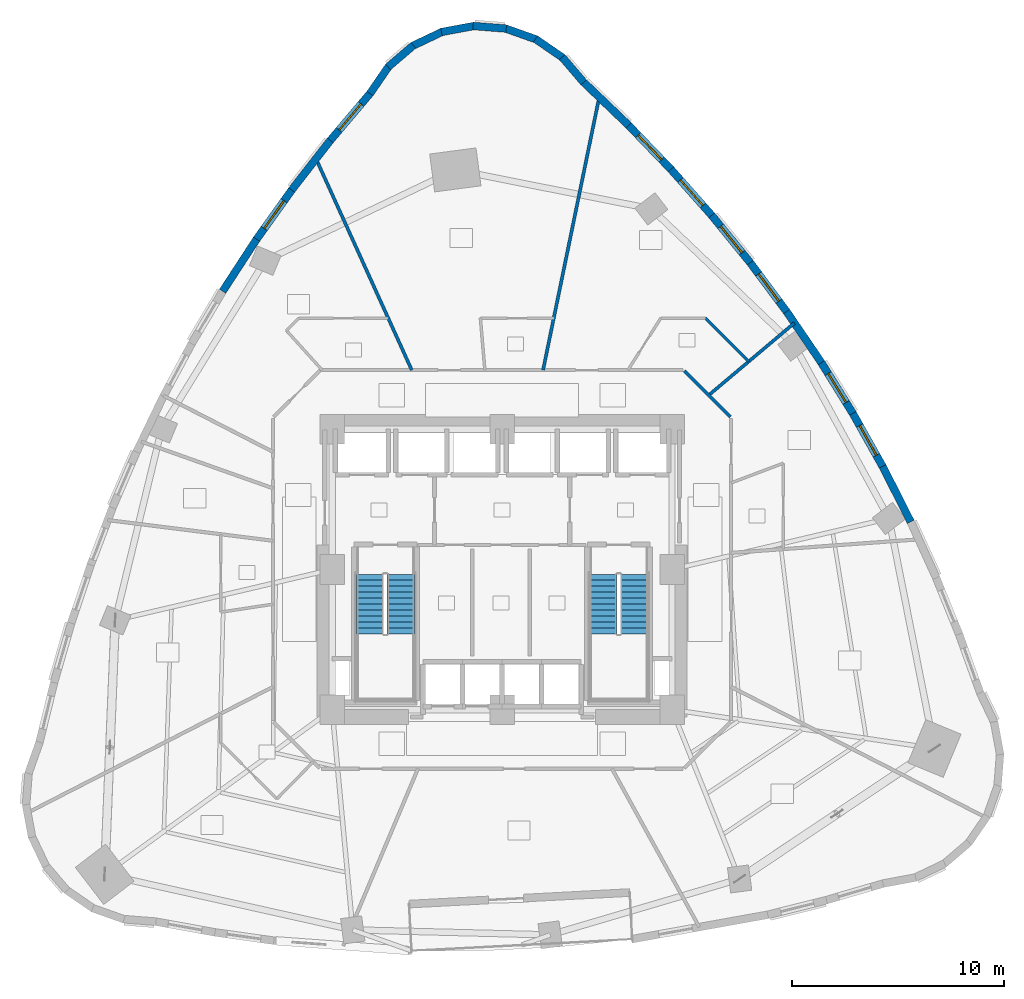
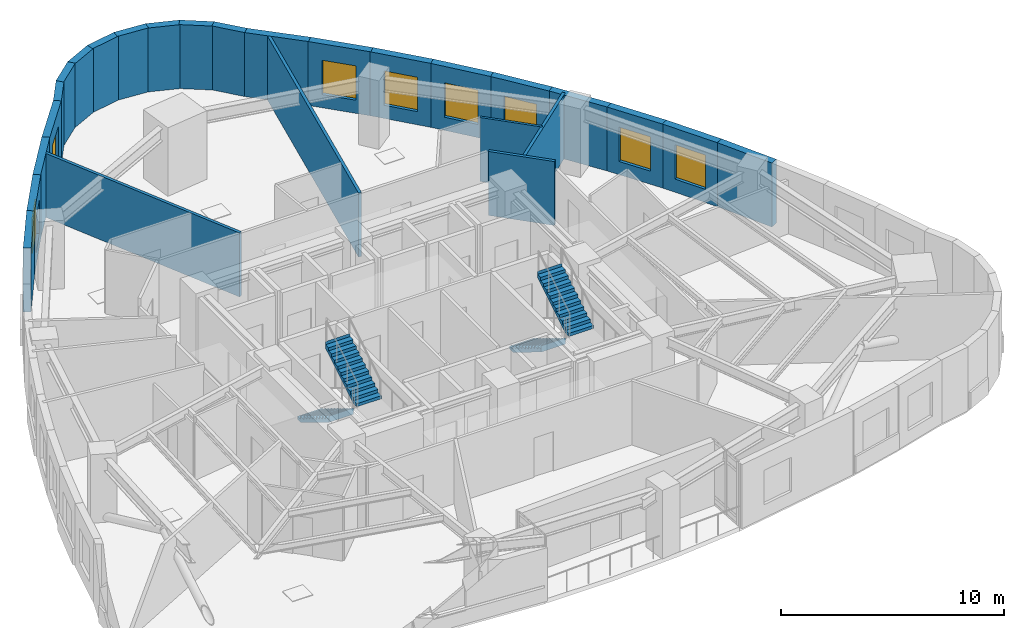
# One storey, part 8 of 11: 26 walls, 8 windows, 4 stair flights, 8 openings, 2 elements without a shape of their own.
"""IFC4 building model written with IfcOpenShell, lengths in metres."""

from ifc_helpers import new_model, si_unit, direction, frame, frame_2d, origin, place, context, subcontext, project, spatial, polyline, rectangle, outline, extrude, material, layer, layer_set, type_object, element, fill, aggregate, save


model = new_model("IFC4")

# Units and contexts
model_context = context("Model", 3, precision=1e-05, world=origin(), true_north=direction((0.0, 1.0)))
body_context = subcontext(model_context, "Body", "Model", "MODEL_VIEW")
ifc_project = project(units=[si_unit("LENGTHUNIT", "METRE"), si_unit("AREAUNIT", "SQUARE_METRE"), si_unit("VOLUMEUNIT", "CUBIC_METRE"), si_unit("PLANEANGLEUNIT", "RADIAN"), si_unit("MASSUNIT", "GRAM", prefix="KILO")], contexts=[model_context])

# Site, building, storey
site_placement = place(None, origin())
site = spatial("IfcSite", under=ifc_project, at=site_placement, CompositionType="ELEMENT")
building_placement = place(site_placement, origin())
building = spatial("IfcBuilding", under=site, at=building_placement, Name="Ndelora Gate Hotel", CompositionType="ELEMENT")
storey_placement = place(building_placement, frame((0.0, 0.0, 41.75)))
storey = spatial("IfcBuildingStorey", under=building, at=storey_placement, Name="L09", CompositionType="ELEMENT", Elevation=41.75)

# Walls
ifc_material_1 = material(Name="Clay Brick Masonry", Category="masonry")
ifc_layer_1 = layer(ifc_material_1, 0.360107421875)
ifc_layer_set_1 = layer_set([ifc_layer_1], Name="Clay Brick Masonry")
wall_type_1 = type_object("IfcWallType", Name="WL-BRICK-360", PredefinedType="SOLIDWALL", material=ifc_layer_set_1)
wall_1_placement = place(storey_placement, frame((2.828125, 24.10986328125, 0.0), z_axis=(0.0, 0.0, 1.0), x_axis=(0.649427555808, -0.76042346739, 0.0)))
element("IfcWall", 1, at=wall_1_placement, inside=storey, type_object=wall_type_1, Name="L09 Tower Brick Pier-and-Spandrel Wall TWR-1", PredefinedType="SOLIDWALL", context=body_context, shape_type="SweptSolid", body=[
    extrude(rectangle(XDim=1.56396484375, YDim=0.360107421875, at=frame_2d((0.781982421875, 0.0))), origin(), (0.0, 0.0, 1.0), 3.5),
])
wall_2_placement = place(storey_placement, frame((1.575927734375, 24.962646484375, 0.0), z_axis=(0.0, 0.0, 1.0), x_axis=(0.824114783412, -0.56642283125, 0.0)))
element("IfcWall", 2, at=wall_2_placement, inside=storey, type_object=wall_type_1, Name="L09 Tower Brick Pier-and-Spandrel Wall TWR-2", PredefinedType="SOLIDWALL", context=body_context, shape_type="SweptSolid", body=[
    extrude(rectangle(XDim=1.564208984375, YDim=0.360107421875, at=frame_2d((0.7822265625, 0.0))), origin(), (0.0, 0.0, 1.0), 3.5),
])
wall_3_placement = place(storey_placement, frame((0.1455078125, 25.46240234375, 0.0), z_axis=(0.0, 0.0, 1.0), x_axis=(0.94263541034, -0.333824030251, 0.0)))
element("IfcWall", 3, at=wall_3_placement, inside=storey, type_object=wall_type_1, Name="L09 Tower Brick Pier-and-Spandrel Wall TWR-3", PredefinedType="SOLIDWALL", context=body_context, shape_type="SweptSolid", body=[
    extrude(rectangle(XDim=1.564453125, YDim=0.360107421875, at=frame_2d((0.7822265625, 0.0))), origin(), (0.0, 0.0, 1.0), 3.5),
])
for number, where, z_axis, x_axis, name in (
    (4, (-1.364990234375, 25.57470703125, 0.0), (0.0, 0.0, 1.0), (0.996912314432, -0.078522845938, 0.0), "L09 Tower Brick Pier-and-Spandrel Wall TWR-4"),
    (5, (-2.853515625, 25.292236328125, 0.0), (0.0, 0.0, 1.0), (0.983239538779, 0.182318428527, 0.0), "L09 Tower Brick Pier-and-Spandrel Wall TWR-5"),
):
    element("IfcWall", number, at=place(storey_placement, frame(where, z_axis=z_axis, x_axis=x_axis)), inside=storey, type_object=wall_type_1, Name=name, PredefinedType="SOLIDWALL", context=body_context, shape_type="SweptSolid", body=[
        extrude(rectangle(XDim=1.56396484375, YDim=0.360107421875, at=frame_2d((0.781982421875, 0.0))), origin(), (0.0, 0.0, 1.0), 3.5),
    ])
wall_4_placement = place(storey_placement, frame((-4.21826171875, 24.63427734375, 0.0), z_axis=(0.0, 0.0, 1.0), x_axis=(0.902606480138, 0.430466656099, 0.0)))
element("IfcWall", 6, at=wall_4_placement, inside=storey, type_object=wall_type_1, Name="L09 Tower Brick Pier-and-Spandrel Wall TWR-6", PredefinedType="SOLIDWALL", context=body_context, shape_type="SweptSolid", body=[
    extrude(rectangle(XDim=1.564208984375, YDim=0.360107421875, at=frame_2d((0.7822265625, 0.0))), origin(), (0.0, 0.0, 1.0), 3.5),
])
wall_5_placement = place(storey_placement, frame((-5.365966796875, 23.6455078125, 0.0), z_axis=(0.0, 0.0, 1.0), x_axis=(0.760489297029, 0.649350467086, 0.0)))
element("IfcWall", 7, at=wall_5_placement, inside=storey, type_object=wall_type_1, Name="L09 Tower Brick Pier-and-Spandrel Wall TWR-7", PredefinedType="SOLIDWALL", context=body_context, shape_type="SweptSolid", body=[
    extrude(rectangle(XDim=1.56396484375, YDim=0.360107421875, at=frame_2d((0.781982421875, 0.0))), origin(), (0.0, 0.0, 1.0), 3.5),
])
wall_6_placement = place(storey_placement, frame((-6.21875, 22.393310546875, 0.0), z_axis=(0.0, 0.0, 1.0), x_axis=(0.56642283125, 0.824114783412, 0.0)))
element("IfcWall", 8, at=wall_6_placement, inside=storey, type_object=wall_type_1, Name="L09 Tower Brick Pier-and-Spandrel Wall TWR-8", PredefinedType="SOLIDWALL", context=body_context, shape_type="SweptSolid", body=[
    extrude(rectangle(XDim=1.564208984375, YDim=0.360107421875, at=frame_2d((0.7822265625, 0.0))), origin(), (0.0, 0.0, 1.0), 3.5),
])

# Wall, opening, window
wall_7_placement = place(storey_placement, frame((-8.117431640625, 20.152587890625, 0.0), z_axis=(0.0, 0.0, 1.0), x_axis=(0.645802996195, 0.763504086502, 0.0)))
wall_7 = element("IfcWall", 9, at=wall_7_placement, inside=storey, type_object=wall_type_1, Name="L09 Tower Brick Pier-and-Spandrel Wall TWR-9", PredefinedType="SOLIDWALL", context=body_context, shape_type="SweptSolid", body=[
    extrude(rectangle(XDim=2.98681640625, YDim=0.360107421875, at=frame_2d((1.493408203125, 0.0))), origin(), (0.0, 0.0, 1.0), 3.5),
])
opening_1_placement = place(wall_7_placement, frame((0.693603515625, 0.0, 0.719970703125)))
opening_1 = element("IfcOpeningElement", 10, at=opening_1_placement, cuts=wall_7, Name="Opening W03", PredefinedType="OPENING", context=body_context, shape_type="SweptSolid", body=[
    extrude(rectangle(XDim=1.60009765625, YDim=1.8798828125, at=frame_2d((0.800048828125, 0.93994140625))), frame((0.0, 0.18994140625, 0.0), z_axis=(0.0, -1.0, 0.0), x_axis=(1.0, 0.0, 0.0)), (0.0, 0.0, 1.0), 0.380126953125),
])
ifc_material_2 = material(Name="Insulated Low-E Double Glazing in Bronze Aluminium Frame", Category="aluminium")
window_type_1 = type_object("IfcWindowType", Name="WN-CORN-2100", PartitioningType="SINGLE_PANEL", PredefinedType="WINDOW", material=ifc_material_2)
window_1_placement = place(opening_1_placement, origin())
window_1 = element("IfcWindow", 11, at=window_1_placement, inside=storey, type_object=window_type_1, Name="L09 Deep-Set Brick-Pier Window W03", OverallHeight=1.8798828125, OverallWidth=1.60009765625, PartitioningType="SINGLE_PANEL", PredefinedType="WINDOW", context=body_context, shape_type="SweptSolid", body=[
    extrude(rectangle(XDim=1.60009765625, YDim=1.8798828125, at=frame_2d((0.800048828125, 0.93994140625))), frame((0.0, 0.030029296875, 0.0), z_axis=(0.0, -1.0, 0.0), x_axis=(1.0, 0.0, 0.0)), (0.0, 0.0, 1.0), 0.06005859375),
])
fill(opening_1, window_1)

# Wall
wall_8_placement = place(storey_placement, frame((-9.90478515625, 17.854248046875, 0.0), z_axis=(0.0, 0.0, 1.0), x_axis=(0.614163171733, 0.789179066174, 0.0)))
element("IfcWall", 12, at=wall_8_placement, inside=storey, type_object=wall_type_1, Name="L09 Tower Brick Pier-and-Spandrel Wall TWR-10", PredefinedType="SOLIDWALL", context=body_context, shape_type="SweptSolid", body=[
    extrude(rectangle(XDim=2.96142578125, YDim=0.360107421875, at=frame_2d((1.480712890625, 0.0))), origin(), (0.0, 0.0, 1.0), 3.5),
])

# Wall, opening, window
wall_9_placement = place(storey_placement, frame((-11.5830078125, 15.500244140625, 0.0), z_axis=(0.0, 0.0, 1.0), x_axis=(0.580782634392, 0.814058678222, 0.0)))
wall_9 = element("IfcWall", 13, at=wall_9_placement, inside=storey, type_object=wall_type_1, Name="L09 Tower Brick Pier-and-Spandrel Wall TWR-11", PredefinedType="SOLIDWALL", context=body_context, shape_type="SweptSolid", body=[
    extrude(rectangle(XDim=2.94091796875, YDim=0.360107421875, at=frame_2d((1.470458984375, 0.0))), origin(), (0.0, 0.0, 1.0), 3.5),
])
opening_2_placement = place(wall_9_placement, frame((0.67041015625, 0.0, 0.719970703125)))
opening_2 = element("IfcOpeningElement", 14, at=opening_2_placement, cuts=wall_9, Name="Opening W01", PredefinedType="OPENING", context=body_context, shape_type="SweptSolid", body=[
    extrude(rectangle(XDim=1.60009765625, YDim=1.8798828125, at=frame_2d((0.800048828125, 0.93994140625))), frame((0.0, 0.18994140625, 0.0), z_axis=(0.0, -1.0, 0.0), x_axis=(1.0, 0.0, 0.0)), (0.0, 0.0, 1.0), 0.380126953125),
])
window_type_2 = type_object("IfcWindowType", Name="WN-DEEP-1600", PartitioningType="SINGLE_PANEL", PredefinedType="WINDOW", material=ifc_material_2)
window_2_placement = place(opening_2_placement, origin())
window_2 = element("IfcWindow", 15, at=window_2_placement, inside=storey, type_object=window_type_2, Name="L09 Deep-Set Brick-Pier Window W01", OverallHeight=1.8798828125, OverallWidth=1.60009765625, PartitioningType="SINGLE_PANEL", PredefinedType="WINDOW", context=body_context, shape_type="SweptSolid", body=[
    extrude(rectangle(XDim=1.60009765625, YDim=1.8798828125, at=frame_2d((0.800048828125, 0.93994140625))), frame((0.0, 0.030029296875, 0.0), z_axis=(0.0, -1.0, 0.0), x_axis=(1.0, 0.0, 0.0)), (0.0, 0.0, 1.0), 0.06005859375),
])
fill(opening_2, window_2)

# Walls
wall_10_placement = place(storey_placement, frame((-13.152587890625, 13.091064453125, 0.0), z_axis=(0.0, 0.0, 1.0), x_axis=(0.546158304601, 0.837681983998, 0.0)))
element("IfcWall", 16, at=wall_10_placement, inside=storey, type_object=wall_type_1, Name="L09 Tower Brick Pier-and-Spandrel Wall TWR-12", PredefinedType="SOLIDWALL", context=body_context, shape_type="SweptSolid", body=[
    extrude(rectangle(XDim=2.92529296875, YDim=0.360107421875, at=frame_2d((1.462646484375, 0.0))), origin(), (0.0, 0.0, 1.0), 3.5),
])
wall_11_placement = place(storey_placement, frame((17.91357421875, 4.8447265625, 0.0), z_axis=(0.0, 0.0, 1.0), x_axis=(0.452380947907, -0.891824802285, 0.0)))
element("IfcWall", 17, at=wall_11_placement, inside=storey, type_object=wall_type_1, Name="L09 Tower Brick Pier-and-Spandrel Wall TWR-50", PredefinedType="SOLIDWALL", context=body_context, shape_type="SweptSolid", body=[
    extrude(rectangle(XDim=2.925048828125, YDim=0.360107421875, at=frame_2d((1.46240234375, 0.0))), origin(), (0.0, 0.0, 1.0), 3.5),
])

# Wall, opening, window
wall_12_placement = place(storey_placement, frame((16.50927734375, 7.341796875, 0.0), z_axis=(0.0, 0.0, 1.0), x_axis=(0.489847587765, -0.871808087116, 0.0)))
wall_12 = element("IfcWall", 18, at=wall_12_placement, inside=storey, type_object=wall_type_1, Name="L09 Tower Brick Pier-and-Spandrel Wall TWR-51", PredefinedType="SOLIDWALL", context=body_context, shape_type="SweptSolid", body=[
    extrude(rectangle(XDim=2.91455078125, YDim=0.360107421875, at=frame_2d((1.457275390625, 0.0))), origin(), (0.0, 0.0, 1.0), 3.5),
])
opening_3_placement = place(wall_12_placement, frame((0.657470703125, 0.0, 0.719970703125)))
opening_3 = element("IfcOpeningElement", 19, at=opening_3_placement, cuts=wall_12, Name="Opening W01", PredefinedType="OPENING", context=body_context, shape_type="SweptSolid", body=[
    extrude(rectangle(XDim=1.60009765625, YDim=1.8798828125, at=frame_2d((0.800048828125, 0.93994140625))), frame((0.0, 0.18994140625, 0.0), z_axis=(0.0, -1.0, 0.0), x_axis=(1.0, 0.0, 0.0)), (0.0, 0.0, 1.0), 0.380126953125),
])
window_3_placement = place(opening_3_placement, origin())
window_3 = element("IfcWindow", 20, at=window_3_placement, inside=storey, type_object=window_type_2, Name="L09 Deep-Set Brick-Pier Window W01", OverallHeight=1.8798828125, OverallWidth=1.60009765625, PartitioningType="SINGLE_PANEL", PredefinedType="WINDOW", context=body_context, shape_type="SweptSolid", body=[
    extrude(rectangle(XDim=1.60009765625, YDim=1.8798828125, at=frame_2d((0.800048828125, 0.93994140625))), frame((0.0, 0.030029296875, 0.0), z_axis=(0.0, -1.0, 0.0), x_axis=(1.0, 0.0, 0.0)), (0.0, 0.0, 1.0), 0.06005859375),
])
fill(opening_3, window_3)

wall_13_placement = place(storey_placement, frame((15.002197265625, 9.7724609375, 0.0), z_axis=(0.0, 0.0, 1.0), x_axis=(0.526646311391, -0.850084503269, 0.0)))
wall_13 = element("IfcWall", 21, at=wall_13_placement, inside=storey, type_object=wall_type_1, Name="L09 Tower Brick Pier-and-Spandrel Wall TWR-52", PredefinedType="SOLIDWALL", context=body_context, shape_type="SweptSolid", body=[
    extrude(rectangle(XDim=2.909912109375, YDim=0.360107421875, at=frame_2d((1.455078125, 0.0))), origin(), (0.0, 0.0, 1.0), 3.5),
])
opening_4_placement = place(wall_13_placement, frame((0.65478515625, 0.0, 0.719970703125)))
opening_4 = element("IfcOpeningElement", 22, at=opening_4_placement, cuts=wall_13, Name="Opening W01", PredefinedType="OPENING", context=body_context, shape_type="SweptSolid", body=[
    extrude(rectangle(XDim=1.60009765625, YDim=1.8798828125, at=frame_2d((0.800048828125, 0.93994140625))), frame((0.0, 0.18994140625, 0.0), z_axis=(0.0, -1.0, 0.0), x_axis=(1.0, 0.0, 0.0)), (0.0, 0.0, 1.0), 0.380126953125),
])
window_4_placement = place(opening_4_placement, origin())
window_4 = element("IfcWindow", 23, at=window_4_placement, inside=storey, type_object=window_type_2, Name="L09 Deep-Set Brick-Pier Window W01", OverallHeight=1.8798828125, OverallWidth=1.60009765625, PartitioningType="SINGLE_PANEL", PredefinedType="WINDOW", context=body_context, shape_type="SweptSolid", body=[
    extrude(rectangle(XDim=1.60009765625, YDim=1.8798828125, at=frame_2d((0.800048828125, 0.93994140625))), frame((0.0, 0.030029296875, 0.0), z_axis=(0.0, -1.0, 0.0), x_axis=(1.0, 0.0, 0.0)), (0.0, 0.0, 1.0), 0.06005859375),
])
fill(opening_4, window_4)

# Wall
wall_14_placement = place(storey_placement, frame((13.39306640625, 12.136474609375, 0.0), z_axis=(0.0, 0.0, 1.0), x_axis=(0.562401815537, -0.82686407461, 0.0)))
element("IfcWall", 24, at=wall_14_placement, inside=storey, type_object=wall_type_1, Name="L09 Tower Brick Pier-and-Spandrel Wall TWR-53", PredefinedType="SOLIDWALL", context=body_context, shape_type="SweptSolid", body=[
    extrude(rectangle(XDim=2.909912109375, YDim=0.360107421875, at=frame_2d((1.455078125, 0.0))), origin(), (0.0, 0.0, 1.0), 3.5),
])

# Wall, opening, window
wall_15_placement = place(storey_placement, frame((11.681396484375, 14.43359375, 0.0), z_axis=(0.0, 0.0, 1.0), x_axis=(0.597208824727, -0.802085793209, 0.0)))
wall_15 = element("IfcWall", 25, at=wall_15_placement, inside=storey, type_object=wall_type_1, Name="L09 Tower Brick Pier-and-Spandrel Wall TWR-54", PredefinedType="SOLIDWALL", context=body_context, shape_type="SweptSolid", body=[
    extrude(rectangle(XDim=2.914794921875, YDim=0.360107421875, at=frame_2d((1.45751953125, 0.0))), origin(), (0.0, 0.0, 1.0), 3.5),
])
opening_5_placement = place(wall_15_placement, frame((0.657470703125, 0.0, 0.719970703125)))
opening_5 = element("IfcOpeningElement", 26, at=opening_5_placement, cuts=wall_15, Name="Opening W01", PredefinedType="OPENING", context=body_context, shape_type="SweptSolid", body=[
    extrude(rectangle(XDim=1.60009765625, YDim=1.8798828125, at=frame_2d((0.800048828125, 0.93994140625))), frame((0.0, 0.18994140625, 0.0), z_axis=(0.0, -1.0, 0.0), x_axis=(1.0, 0.0, 0.0)), (0.0, 0.0, 1.0), 0.380126953125),
])
window_5_placement = place(opening_5_placement, origin())
window_5 = element("IfcWindow", 27, at=window_5_placement, inside=storey, type_object=window_type_2, Name="L09 Deep-Set Brick-Pier Window W01", OverallHeight=1.8798828125, OverallWidth=1.60009765625, PartitioningType="SINGLE_PANEL", PredefinedType="WINDOW", context=body_context, shape_type="SweptSolid", body=[
    extrude(rectangle(XDim=1.60009765625, YDim=1.8798828125, at=frame_2d((0.800048828125, 0.93994140625))), frame((0.0, 0.030029296875, 0.0), z_axis=(0.0, -1.0, 0.0), x_axis=(1.0, 0.0, 0.0)), (0.0, 0.0, 1.0), 0.06005859375),
])
fill(opening_5, window_5)

wall_16_placement = place(storey_placement, frame((9.866943359375, 16.664306640625, 0.0), z_axis=(0.0, 0.0, 1.0), x_axis=(0.630712015434, -0.776016980218, 0.0)))
wall_16 = element("IfcWall", 28, at=wall_16_placement, inside=storey, type_object=wall_type_1, Name="L09 Tower Brick Pier-and-Spandrel Wall TWR-55", PredefinedType="SOLIDWALL", context=body_context, shape_type="SweptSolid", body=[
    extrude(rectangle(XDim=2.92529296875, YDim=0.360107421875, at=frame_2d((1.462646484375, 0.0))), origin(), (0.0, 0.0, 1.0), 3.5),
])
opening_6_placement = place(wall_16_placement, frame((0.66259765625, 0.0, 0.719970703125)))
opening_6 = element("IfcOpeningElement", 29, at=opening_6_placement, cuts=wall_16, Name="Opening W01", PredefinedType="OPENING", context=body_context, shape_type="SweptSolid", body=[
    extrude(rectangle(XDim=1.60009765625, YDim=1.8798828125, at=frame_2d((0.800048828125, 0.93994140625))), frame((0.0, 0.18994140625, 0.0), z_axis=(0.0, -1.0, 0.0), x_axis=(1.0, 0.0, 0.0)), (0.0, 0.0, 1.0), 0.380126953125),
])
window_6_placement = place(opening_6_placement, origin())
window_6 = element("IfcWindow", 30, at=window_6_placement, inside=storey, type_object=window_type_2, Name="L09 Deep-Set Brick-Pier Window W01", OverallHeight=1.8798828125, OverallWidth=1.60009765625, PartitioningType="SINGLE_PANEL", PredefinedType="WINDOW", context=body_context, shape_type="SweptSolid", body=[
    extrude(rectangle(XDim=1.60009765625, YDim=1.8798828125, at=frame_2d((0.800048828125, 0.93994140625))), frame((0.0, 0.030029296875, 0.0), z_axis=(0.0, -1.0, 0.0), x_axis=(1.0, 0.0, 0.0)), (0.0, 0.0, 1.0), 0.06005859375),
])
fill(opening_6, window_6)

wall_17_placement = place(storey_placement, frame((7.9501953125, 18.828369140625, 0.0), z_axis=(0.0, 0.0, 1.0), x_axis=(0.662795962661, -0.748800047997, 0.0)))
wall_17 = element("IfcWall", 31, at=wall_17_placement, inside=storey, type_object=wall_type_1, Name="L09 Tower Brick Pier-and-Spandrel Wall TWR-56", PredefinedType="SOLIDWALL", context=body_context, shape_type="SweptSolid", body=[
    extrude(rectangle(XDim=2.94091796875, YDim=0.360107421875, at=frame_2d((1.470458984375, 0.0))), origin(), (0.0, 0.0, 1.0), 3.5),
])
opening_7_placement = place(wall_17_placement, frame((0.67041015625, 0.0, 0.719970703125)))
opening_7 = element("IfcOpeningElement", 32, at=opening_7_placement, cuts=wall_17, Name="Opening W01", PredefinedType="OPENING", context=body_context, shape_type="SweptSolid", body=[
    extrude(rectangle(XDim=1.60009765625, YDim=1.8798828125, at=frame_2d((0.800048828125, 0.93994140625))), frame((0.0, 0.18994140625, 0.0), z_axis=(0.0, -1.0, 0.0), x_axis=(1.0, 0.0, 0.0)), (0.0, 0.0, 1.0), 0.380126953125),
])
window_7_placement = place(opening_7_placement, origin())
window_7 = element("IfcWindow", 33, at=window_7_placement, inside=storey, type_object=window_type_2, Name="L09 Deep-Set Brick-Pier Window W01", OverallHeight=1.8798828125, OverallWidth=1.60009765625, PartitioningType="SINGLE_PANEL", PredefinedType="WINDOW", context=body_context, shape_type="SweptSolid", body=[
    extrude(rectangle(XDim=1.60009765625, YDim=1.8798828125, at=frame_2d((0.800048828125, 0.93994140625))), frame((0.0, 0.030029296875, 0.0), z_axis=(0.0, -1.0, 0.0), x_axis=(1.0, 0.0, 0.0)), (0.0, 0.0, 1.0), 0.06005859375),
])
fill(opening_7, window_7)

wall_18_placement = place(storey_placement, frame((5.93115234375, 20.926025390625, 0.0), z_axis=(0.0, 0.0, 1.0), x_axis=(0.693247098046, -0.720699979916, 0.0)))
wall_18 = element("IfcWall", 34, at=wall_18_placement, inside=storey, type_object=wall_type_1, Name="L09 Tower Brick Pier-and-Spandrel Wall TWR-57", PredefinedType="SOLIDWALL", context=body_context, shape_type="SweptSolid", body=[
    extrude(rectangle(XDim=2.96142578125, YDim=0.360107421875, at=frame_2d((1.480712890625, 0.0))), origin(), (0.0, 0.0, 1.0), 3.5),
])
opening_8_placement = place(wall_18_placement, frame((0.6806640625, 0.0, 0.719970703125)))
opening_8 = element("IfcOpeningElement", 35, at=opening_8_placement, cuts=wall_18, Name="Opening W03", PredefinedType="OPENING", context=body_context, shape_type="SweptSolid", body=[
    extrude(rectangle(XDim=1.60009765625, YDim=1.8798828125, at=frame_2d((0.800048828125, 0.93994140625))), frame((0.0, 0.18994140625, 0.0), z_axis=(0.0, -1.0, 0.0), x_axis=(1.0, 0.0, 0.0)), (0.0, 0.0, 1.0), 0.380126953125),
])
window_8_placement = place(opening_8_placement, origin())
window_8 = element("IfcWindow", 36, at=window_8_placement, inside=storey, type_object=window_type_1, Name="L09 Deep-Set Brick-Pier Window W03", OverallHeight=1.8798828125, OverallWidth=1.60009765625, PartitioningType="SINGLE_PANEL", PredefinedType="WINDOW", context=body_context, shape_type="SweptSolid", body=[
    extrude(rectangle(XDim=1.60009765625, YDim=1.8798828125, at=frame_2d((0.800048828125, 0.93994140625))), frame((0.0, 0.030029296875, 0.0), z_axis=(0.0, -1.0, 0.0), x_axis=(1.0, 0.0, 0.0)), (0.0, 0.0, 1.0), 0.06005859375),
])
fill(opening_8, window_8)

# Walls
wall_19_placement = place(storey_placement, frame((3.8095703125, 22.956787109375, 0.0), z_axis=(0.0, 0.0, 1.0), x_axis=(0.722146408361, -0.691740243799, 0.0)))
element("IfcWall", 37, at=wall_19_placement, inside=storey, type_object=wall_type_1, Name="L09 Tower Brick Pier-and-Spandrel Wall TWR-58", PredefinedType="SOLIDWALL", context=body_context, shape_type="SweptSolid", body=[
    extrude(rectangle(XDim=2.98681640625, YDim=0.360107421875, at=frame_2d((1.493408203125, 0.0))), origin(), (0.0, 0.0, 1.0), 3.5),
])
ifc_material_3 = material(Name="Fire-Rated Gypsum Stud Partition", Category="gypsum")
ifc_layer_2 = layer(ifc_material_3, 0.14990234375)
ifc_layer_set_2 = layer_set([ifc_layer_2], Name="Fire-Rated Gypsum Stud Partition")
wall_type_2 = type_object("IfcWallType", Name="WL-PART-150", PredefinedType="PARTITIONING", material=ifc_layer_set_2)
wall_20_placement = place(storey_placement, frame((8.578369140625, 9.351806640625, 0.0), z_axis=(0.0, 0.0, 1.0), x_axis=(0.707067066127, -0.707146494016, 0.0)))
element("IfcWall", 38, at=wall_20_placement, inside=storey, type_object=wall_type_2, Name="L09 Interior Wall IW-5", PredefinedType="PARTITIONING", context=body_context, shape_type="SweptSolid", body=[
    extrude(rectangle(XDim=3.07373046875, YDim=0.14990234375, at=frame_2d((1.536865234375, 0.0))), origin(), (0.0, 0.0, 1.0), 3.5),
])
wall_21_placement = place(storey_placement, frame((9.7294921875, 8.200439453125, 0.0), z_axis=(0.0, 0.0, 1.0), x_axis=(0.764648079626, 0.644448069532, 0.0)))
element("IfcWall", 39, at=wall_21_placement, inside=storey, type_object=wall_type_2, Name="L09 Interior Wall IW-5", PredefinedType="PARTITIONING", context=body_context, shape_type="SweptSolid", body=[
    extrude(rectangle(XDim=5.270751953125, YDim=0.14990234375, at=frame_2d((2.63525390625, 0.0))), origin(), (0.0, 0.0, 1.0), 3.5),
])
wall_22_placement = place(storey_placement, frame((1.9296875, 9.3798828125, 0.0), z_axis=(0.0, 0.0, 1.0), x_axis=(0.201507952768, 0.979486878407, 0.0)))
element("IfcWall", 40, at=wall_22_placement, inside=storey, type_object=wall_type_2, Name="L09 Interior Wall IW-5", PredefinedType="PARTITIONING", context=body_context, shape_type="SweptSolid", body=[
    extrude(rectangle(XDim=13.115234375, YDim=0.14990234375, at=frame_2d((6.5576171875, 0.0))), origin(), (0.0, 0.0, 1.0), 3.5),
])
wall_23_placement = place(storey_placement, frame((-4.25, 9.3798828125, 0.0), z_axis=(0.0, 0.0, 1.0), x_axis=(-0.412704587387, 0.910864931562, 0.0)))
element("IfcWall", 41, at=wall_23_placement, inside=storey, type_object=wall_type_2, Name="L09 Interior Wall IW-5", PredefinedType="PARTITIONING", context=body_context, shape_type="SweptSolid", body=[
    extrude(rectangle(XDim=10.922119140625, YDim=0.14990234375, at=frame_2d((5.4609375, 0.0))), origin(), (0.0, 0.0, 1.0), 3.5),
])
ifc_material_4 = material(Name="Moisture-Resistant Bathroom Tile Partition", Category="gypsum")
ifc_layer_3 = layer(ifc_material_4, 0.1201171875)
ifc_layer_set_3 = layer_set([ifc_layer_3], Name="Moisture-Resistant Bathroom Tile Partition")
wall_type_3 = type_object("IfcWallType", Name="WL-WET-120", PredefinedType="PARTITIONING", material=ifc_layer_set_3)
wall_24_placement = place(storey_placement, frame((11.60986328125, 9.784912109375, 0.0), z_axis=(0.0, 0.0, 1.0), x_axis=(-0.707106781187, 0.707106781187, 0.0)))
element("IfcWall", 42, at=wall_24_placement, inside=storey, type_object=wall_type_3, Name="L09 Interior Wall IW-7", PredefinedType="PARTITIONING", context=body_context, shape_type="SweptSolid", body=[
    extrude(rectangle(XDim=2.892333984375, YDim=0.1201171875, at=frame_2d((1.4462890625, 0.0))), origin(), (0.0, 0.0, 1.0), 3.5),
])

# Stair, stair flights
ifc_material_5 = material(Name="Precast concrete C40/50", Category="concrete")
stair_type = type_object("IfcStairType", Name="STR-DOG-CORE", PredefinedType="HALF_TURN_STAIR", material=ifc_material_5)
stair_1_placement = place(storey_placement, origin())
stair_1 = element("IfcStair", 43, at=stair_1_placement, inside=storey, type_object=stair_type, Name="L09 Protected Core Exit Stair ST4", PredefinedType="HALF_TURN_STAIR")
stair_flight_type = type_object("IfcStairFlightType", Name="STF-PRECAST", PredefinedType="STRAIGHT", material=ifc_material_5)
stair_flight_1_placement = place(storey_placement, frame((-6.2099609375, -0.22998046875, 0.0), z_axis=(0.0, 0.0, 1.0), x_axis=(0.0, -1.0, 0.0)))
stair_flight_1 = element("IfcStairFlight", 44, at=stair_flight_1_placement, type_object=stair_flight_type, Name="ST4 flight 1", NumberOfRisers=11, NumberOfTreads=10, PredefinedType="STRAIGHT", RiserHeight=0.170454545, TreadLength=0.28, context=body_context, shape_type="SweptSolid", body=[
    extrude(outline(polyline([(-0.00048828125, 0.0), (-0.00048828125, 0.17041015625), (0.0, 0.17041015625), (0.280029296875, 0.17041015625), (0.280029296875, 0.3408203125), (0.56005859375, 0.3408203125), (0.56005859375, 0.511474609375), (0.840087890625, 0.511474609375), (0.840087890625, 0.681884765625), (1.1201171875, 0.681884765625), (1.1201171875, 0.852294921875), (1.39990234375, 0.852294921875), (1.39990234375, 1.022705078125), (1.679931640625, 1.022705078125), (1.679931640625, 1.193115234375), (1.9599609375, 1.193115234375), (1.9599609375, 1.363525390625), (2.239990234375, 1.363525390625), (2.239990234375, 1.5341796875), (2.52001953125, 1.5341796875), (2.52001953125, 1.70458984375), (2.800048828125, 1.70458984375), (2.800048828125, 1.875), (2.800537109375, 1.875), (2.800537109375, 1.695068359375), (2.800048828125, 1.529052734375), (0.288330078125, 0.0), (-0.00048828125, 0.0)])), frame((0.0, 0.64013671875, 0.0), z_axis=(0.0, -1.0, 0.0), x_axis=(1.0, 0.0, 0.0)), (0.0, 0.0, 1.0), 1.280029296875),
])
stair_flight_2_placement = place(storey_placement, frame((-4.77001953125, -3.030029296875, 1.875), z_axis=(0.0, 0.0, 1.0), x_axis=(0.0, 1.0, 0.0)))
stair_flight_2 = element("IfcStairFlight", 45, at=stair_flight_2_placement, type_object=stair_flight_type, Name="ST4 flight 2", NumberOfRisers=11, NumberOfTreads=10, PredefinedType="STRAIGHT", RiserHeight=0.170454545, TreadLength=0.28, context=body_context, shape_type="SweptSolid", body=[
    extrude(outline(polyline([(-0.00048828125, 0.0), (-0.00048828125, 0.17041015625), (0.0, 0.17041015625), (0.280029296875, 0.17041015625), (0.280029296875, 0.3408203125), (0.56005859375, 0.3408203125), (0.56005859375, 0.511474609375), (0.840087890625, 0.511474609375), (0.840087890625, 0.681884765625), (1.1201171875, 0.681884765625), (1.1201171875, 0.852294921875), (1.39990234375, 0.852294921875), (1.39990234375, 1.022705078125), (1.679931640625, 1.022705078125), (1.679931640625, 1.193115234375), (1.9599609375, 1.193115234375), (1.9599609375, 1.363525390625), (2.239990234375, 1.363525390625), (2.239990234375, 1.5341796875), (2.52001953125, 1.5341796875), (2.52001953125, 1.70458984375), (2.800048828125, 1.70458984375), (2.800048828125, 1.875), (2.800537109375, 1.875), (2.800537109375, 1.695068359375), (2.800048828125, 1.529052734375), (0.288330078125, 0.0), (-0.00048828125, 0.0)])), frame((0.0, 0.64013671875, 0.0), z_axis=(0.0, -1.0, 0.0), x_axis=(1.0, 0.0, 0.0)), (0.0, 0.0, 1.0), 1.280029296875),
])
aggregate(stair_1, [stair_flight_1, stair_flight_2])

stair_2_placement = place(storey_placement, origin())
stair_2 = element("IfcStair", 46, at=stair_2_placement, inside=storey, type_object=stair_type, Name="L09 Protected Core Exit Stair ST5", PredefinedType="HALF_TURN_STAIR")
stair_flight_3_placement = place(storey_placement, frame((4.77001953125, -0.22998046875, 0.0), z_axis=(0.0, 0.0, 1.0), x_axis=(0.0, -1.0, 0.0)))
stair_flight_3 = element("IfcStairFlight", 47, at=stair_flight_3_placement, type_object=stair_flight_type, Name="ST5 flight 1", NumberOfRisers=11, NumberOfTreads=10, PredefinedType="STRAIGHT", RiserHeight=0.170454545, TreadLength=0.28, context=body_context, shape_type="SweptSolid", body=[
    extrude(outline(polyline([(-0.00048828125, 0.0), (-0.00048828125, 0.17041015625), (0.0, 0.17041015625), (0.280029296875, 0.17041015625), (0.280029296875, 0.3408203125), (0.56005859375, 0.3408203125), (0.56005859375, 0.511474609375), (0.840087890625, 0.511474609375), (0.840087890625, 0.681884765625), (1.1201171875, 0.681884765625), (1.1201171875, 0.852294921875), (1.39990234375, 0.852294921875), (1.39990234375, 1.022705078125), (1.679931640625, 1.022705078125), (1.679931640625, 1.193115234375), (1.9599609375, 1.193115234375), (1.9599609375, 1.363525390625), (2.239990234375, 1.363525390625), (2.239990234375, 1.5341796875), (2.52001953125, 1.5341796875), (2.52001953125, 1.70458984375), (2.800048828125, 1.70458984375), (2.800048828125, 1.875), (2.800537109375, 1.875), (2.800537109375, 1.695068359375), (2.800048828125, 1.529052734375), (0.288330078125, 0.0), (-0.00048828125, 0.0)])), frame((0.0, 0.64013671875, 0.0), z_axis=(0.0, -1.0, 0.0), x_axis=(1.0, 0.0, 0.0)), (0.0, 0.0, 1.0), 1.280029296875),
])
stair_flight_4_placement = place(storey_placement, frame((6.2099609375, -3.030029296875, 1.875), z_axis=(0.0, 0.0, 1.0), x_axis=(0.0, 1.0, 0.0)))
stair_flight_4 = element("IfcStairFlight", 48, at=stair_flight_4_placement, type_object=stair_flight_type, Name="ST5 flight 2", NumberOfRisers=11, NumberOfTreads=10, PredefinedType="STRAIGHT", RiserHeight=0.170454545, TreadLength=0.28, context=body_context, shape_type="SweptSolid", body=[
    extrude(outline(polyline([(-0.00048828125, 0.0), (-0.00048828125, 0.17041015625), (0.0, 0.17041015625), (0.280029296875, 0.17041015625), (0.280029296875, 0.3408203125), (0.56005859375, 0.3408203125), (0.56005859375, 0.511474609375), (0.840087890625, 0.511474609375), (0.840087890625, 0.681884765625), (1.1201171875, 0.681884765625), (1.1201171875, 0.852294921875), (1.39990234375, 0.852294921875), (1.39990234375, 1.022705078125), (1.679931640625, 1.022705078125), (1.679931640625, 1.193115234375), (1.9599609375, 1.193115234375), (1.9599609375, 1.363525390625), (2.239990234375, 1.363525390625), (2.239990234375, 1.5341796875), (2.52001953125, 1.5341796875), (2.52001953125, 1.70458984375), (2.800048828125, 1.70458984375), (2.800048828125, 1.875), (2.800537109375, 1.875), (2.800537109375, 1.695068359375), (2.800048828125, 1.529052734375), (0.288330078125, 0.0), (-0.00048828125, 0.0)])), frame((0.0, 0.64013671875, 0.0), z_axis=(0.0, -1.0, 0.0), x_axis=(1.0, 0.0, 0.0)), (0.0, 0.0, 1.0), 1.280029296875),
])
aggregate(stair_2, [stair_flight_3, stair_flight_4])

save(model, "model.ifc")
